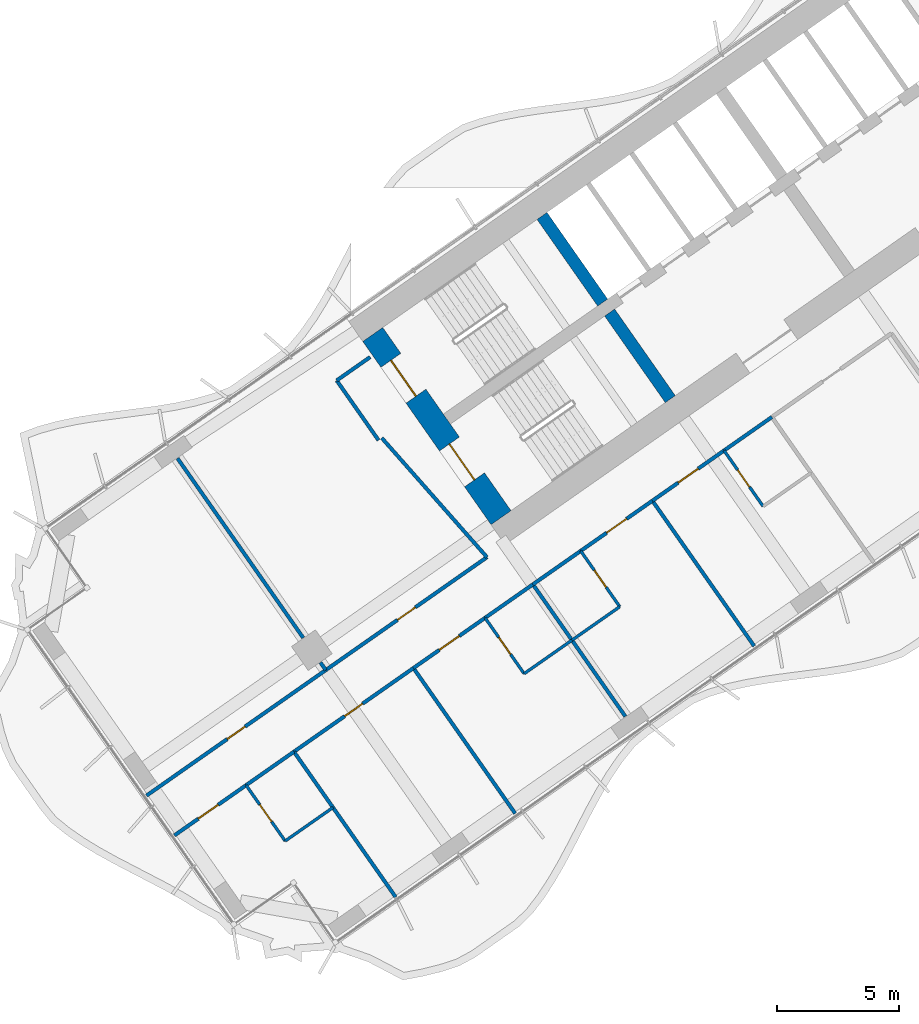
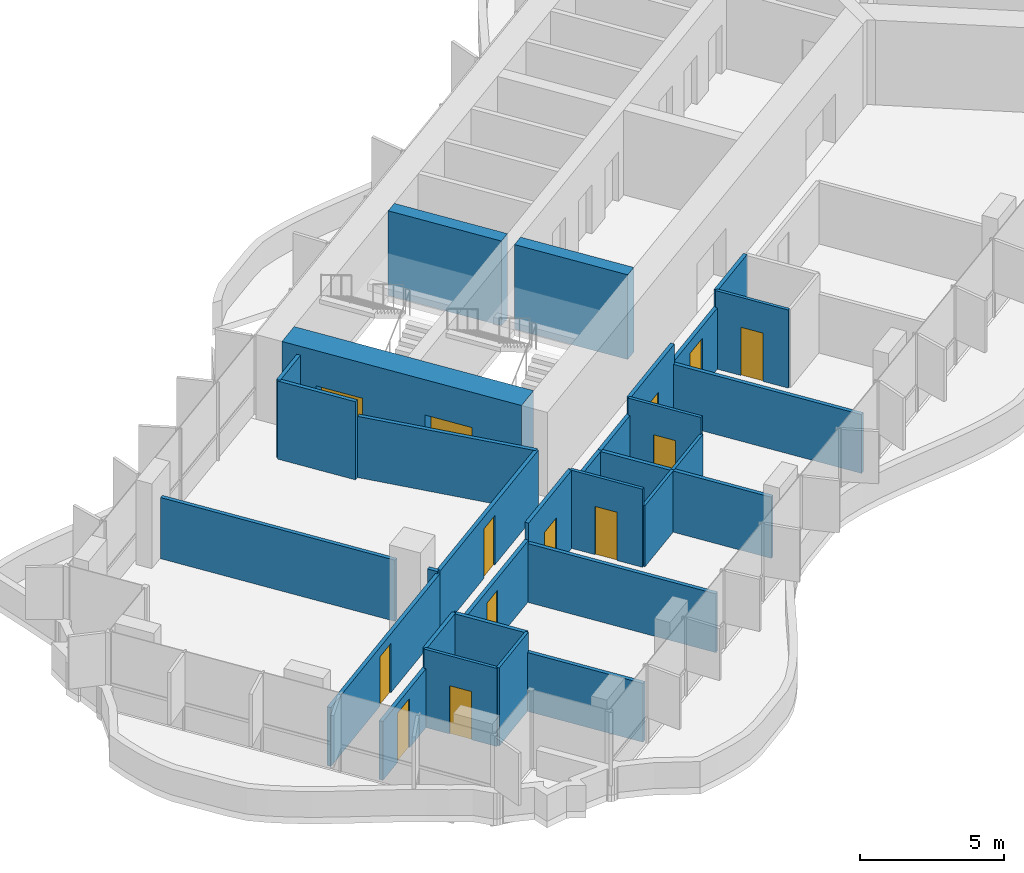
# One storey, part 12 of 23: 32 walls, 13 doors, 13 openings.
"""IFC4 building model written with IfcOpenShell, lengths in metres."""

import ifcopenshell
import ifcopenshell.guid

model = None  # the IFC model being written
_history = None  # IfcOwnerHistory: only IFC2X3 demands one
_inside = {}  # id of a spatial element -> (the spatial element, [elements in it])
_under = {}  # id of a project, library or spatial element -> (it, [spatial elements below it])
_declared = {}  # id of a project -> (the project, [libraries it declares])
_typed = {}  # id of a type object -> (the type object, [elements of that type])
_made_of = {}  # id of a material, layer set ... -> (it, [elements and type objects made of it])


def new_model(schema):
    """Start an empty IFC model of exactly this schema.

    Asked for "IFC4X3", IfcOpenShell would pick the latest addendum, in which some entities
    have other attributes; the version numbers below select the first issue.
    IFC2X3 requires an IfcOwnerHistory on every rooted entity: one is made here for all.
    """
    global model, _history
    if schema == "IFC4X3":
        model = ifcopenshell.file(schema_version=(4, 3, 0, 0))
    else:
        model = ifcopenshell.file(schema=schema)
    _inside.clear()
    _under.clear()
    _declared.clear()
    _typed.clear()
    _made_of.clear()
    _history = None
    if model.schema == "IFC2X3":
        org = make("IfcOrganization", Name="unknown")
        user = make(
            "IfcPersonAndOrganization",
            ThePerson=make("IfcPerson", FamilyName="unknown"),
            TheOrganization=org,
        )
        app = make(
            "IfcApplication",
            ApplicationDeveloper=org,
            Version="unknown",
            ApplicationFullName="unknown",
            ApplicationIdentifier="unknown",
        )
        _history = make(
            "IfcOwnerHistory",
            OwningUser=user,
            OwningApplication=app,
            ChangeAction="ADDED",
            CreationDate=0,
        )
    return model


def make(cls, **values):
    """One entity of the class cls with the attributes given. An attribute that is None is left unset."""
    return model.create_entity(
        cls, **{name: value for name, value in values.items() if value is not None}
    )


def rooted(cls, **values):
    """An entity with a GlobalId (a new one), such as an element, a storey or a relation."""
    return make(cls, GlobalId=ifcopenshell.guid.new(), OwnerHistory=_history, **values)


def si_unit(unit_type, name, prefix=None):
    """IfcSIUnit, for example si_unit("LENGTHUNIT", "METRE", prefix="MILLI")."""
    return make("IfcSIUnit", UnitType=unit_type, Prefix=prefix, Name=name)


def assignment(units):
    """IfcUnitAssignment: the units of a project."""
    return None if units is None else make("IfcUnitAssignment", Units=units)


def point(xyz):
    """IfcCartesianPoint."""
    return None if xyz is None else make("IfcCartesianPoint", Coordinates=xyz)


def direction(xyz):
    """IfcDirection."""
    return None if xyz is None else make("IfcDirection", DirectionRatios=xyz)


def frame(location, z_axis=None, x_axis=None):
    """IfcAxis2Placement3D, a coordinate frame: its origin and axes. An axis left out is left unset."""
    return make(
        "IfcAxis2Placement3D",
        Location=point(location),
        Axis=direction(z_axis),
        RefDirection=direction(x_axis),
    )


def frame_2d(location, x_axis=None):
    """IfcAxis2Placement2D, a coordinate frame in the plane: its origin and x axis."""
    return make(
        "IfcAxis2Placement2D", Location=point(location), RefDirection=direction(x_axis)
    )


def origin():
    """The frame at (0, 0, 0) with its axes left unset."""
    return frame((0.0, 0.0, 0.0))


def place(relative_to, where):
    """IfcLocalPlacement: puts the frame where relative to a parent placement (None: the world)."""
    return make(
        "IfcLocalPlacement", PlacementRelTo=relative_to, RelativePlacement=where
    )


def context(
    kind, dimensions, precision=None, world=None, true_north=None, identifier=None
):
    """IfcGeometricRepresentationContext, for example the 3D "Model" context."""
    return make(
        "IfcGeometricRepresentationContext",
        ContextIdentifier=identifier,
        ContextType=kind,
        CoordinateSpaceDimension=dimensions,
        Precision=precision,
        WorldCoordinateSystem=world,
        TrueNorth=true_north,
    )


def subcontext(parent, identifier, kind, view, scale=None):
    """IfcGeometricRepresentationSubContext, for example "Body" below "Model"."""
    return make(
        "IfcGeometricRepresentationSubContext",
        ContextIdentifier=identifier,
        ContextType=kind,
        ParentContext=parent,
        TargetScale=scale,
        TargetView=view,
    )


def project(units=None, contexts=None):
    """IfcProject with its units and contexts."""
    return rooted(
        "IfcProject",
        Name="project",
        RepresentationContexts=contexts,
        UnitsInContext=assignment(units),
    )


def spatial(cls, under=None, at=None, **own):
    """A site, building, storey or space (cls), placed at a placement, below another one or the project."""
    s = rooted(cls, ObjectPlacement=at, **own)
    if under is not None:
        _under.setdefault(under.id(), (under, []))[1].append(s)
    return s


def polyline(points):
    """IfcPolyline through the points."""
    return make("IfcPolyline", Points=[point(p) for p in points])


def profile(cls, at=None, kind="AREA", **sizes):
    """A parametric profile (cls). Its sizes go by their IFC names, for example OverallWidth=200.0."""
    return make(cls, ProfileType=kind, Position=at, **sizes)


def rectangle(**sizes):
    """IfcRectangleProfileDef."""
    return profile("IfcRectangleProfileDef", **sizes)


def outline(outer, holes=None, kind="AREA"):
    """IfcArbitraryClosedProfileDef: a profile drawn as a closed curve; with holes, ...WithVoids."""
    if holes is None:
        return make("IfcArbitraryClosedProfileDef", ProfileType=kind, OuterCurve=outer)
    return make(
        "IfcArbitraryProfileDefWithVoids",
        ProfileType=kind,
        OuterCurve=outer,
        InnerCurves=holes,
    )


def extrude(swept, where, along, depth):
    """IfcExtrudedAreaSolid: the profile swept, set in the frame where, extruded along a direction by depth."""
    return make(
        "IfcExtrudedAreaSolid",
        SweptArea=swept,
        Position=where,
        ExtrudedDirection=direction(along),
        Depth=depth,
    )


def shape(context_of_items, identifier, shape_type, items):
    """IfcShapeRepresentation: the items that make up one representation, for example the "Body"."""
    return make(
        "IfcShapeRepresentation",
        ContextOfItems=context_of_items,
        RepresentationIdentifier=identifier,
        RepresentationType=shape_type,
        Items=items,
    )


def material(Name=None, Category=None):
    """IfcMaterial."""
    return make("IfcMaterial", Name=Name, Category=Category)


def layer(
    of_material, thickness, ventilated=None, Name=None, Category=None, Priority=None
):
    """IfcMaterialLayer: one layer of a wall or slab, of a material (None: an air gap)."""
    return make(
        "IfcMaterialLayer",
        Material=of_material,
        LayerThickness=thickness,
        IsVentilated=ventilated,
        Name=Name,
        Category=Category,
        Priority=Priority,
    )


def layer_set(layers, Name=None):
    """IfcMaterialLayerSet."""
    return make("IfcMaterialLayerSet", MaterialLayers=layers, LayerSetName=Name)


def made_of(thing, what):
    """Note that an element or type object is made of a material, layer set ...; save() writes the relation."""
    if what is not None:
        _made_of.setdefault(what.id(), (what, []))[1].append(thing)
    return thing


def type_object(cls, material=None, **own):
    """A type object (cls), such as IfcWallType, which elements share."""
    return made_of(rooted(cls, **own), material)


def element(
    cls,
    number,
    at=None,
    inside=None,
    cuts=None,
    type_object=None,
    material=None,
    context=None,
    identifier="Body",
    shape_type=None,
    held_by="IfcProductDefinitionShape",
    body=None,
    shapes=None,
    **own,
):
    """One element of the class cls, such as IfcWall. Its Tag is "e" and its number.

    at: its placement. inside: the storey or other place that contains it. cuts: it is an
    opening in that element (IfcRelVoidsElement). A single representation is given by context,
    identifier, shape_type and body (its items); several are given by shapes. held_by: the class
    of the entity that holds the representations. save() writes the other relations.
    """
    e = rooted(cls, Tag="e%d" % number, ObjectPlacement=at, **own)
    if body is not None:
        shapes = [shape(context, identifier, shape_type, body)]
    if shapes is not None:
        e.Representation = make(held_by, Representations=shapes)
    if inside is not None:
        _inside.setdefault(inside.id(), (inside, []))[1].append(e)
    if cuts is not None:
        rooted(
            "IfcRelVoidsElement", RelatingBuildingElement=cuts, RelatedOpeningElement=e
        )
    if type_object is not None:
        _typed.setdefault(type_object.id(), (type_object, []))[1].append(e)
    return made_of(e, material)


def fill(opening, filler):
    """IfcRelFillsElement: the door or window that sits in an opening."""
    return rooted(
        "IfcRelFillsElement",
        RelatingOpeningElement=opening,
        RelatedBuildingElement=filler,
    )


def aggregate(whole, parts):
    """IfcRelAggregates: a whole, such as a stair, and the parts it consists of."""
    return rooted("IfcRelAggregates", RelatingObject=whole, RelatedObjects=parts)


def save(model, path):
    """Write the relations noted so far, then the file.

    IfcRelAggregates (storeys below a building ...), IfcRelContainedInSpatialStructure (elements
    in a storey), IfcRelDefinesByType, IfcRelAssociatesMaterial and IfcRelDeclares: one each for
    every whole, place, type object, material and project.
    """
    for whole, parts in _under.values():
        aggregate(whole, parts)
    for where, things in _inside.values():
        rooted(
            "IfcRelContainedInSpatialStructure",
            RelatedElements=things,
            RelatingStructure=where,
        )
    for kind, things in _typed.values():
        rooted("IfcRelDefinesByType", RelatedObjects=things, RelatingType=kind)
    for what, things in _made_of.values():
        rooted("IfcRelAssociatesMaterial", RelatedObjects=things, RelatingMaterial=what)
    for by, libraries in _declared.values():
        rooted("IfcRelDeclares", RelatingContext=by, RelatedDefinitions=libraries)
    model.write(path)


model = new_model("IFC4")

# Units and contexts
model_context = context("Model", 3, precision=1e-05, world=origin(), true_north=direction((0.0, 1.0)))
body_context = subcontext(model_context, "Body", "Model", "MODEL_VIEW")
ifc_project = project(units=[si_unit("LENGTHUNIT", "METRE"), si_unit("AREAUNIT", "SQUARE_METRE"), si_unit("VOLUMEUNIT", "CUBIC_METRE"), si_unit("PLANEANGLEUNIT", "RADIAN"), si_unit("MASSUNIT", "GRAM", prefix="KILO")], contexts=[model_context])

# Site, building, storey
site_placement = place(None, origin())
site = spatial("IfcSite", under=ifc_project, at=site_placement, CompositionType="ELEMENT")
building_placement = place(site_placement, origin())
building = spatial("IfcBuilding", under=site, at=building_placement, Name="Tel Ilan Convention Tower", CompositionType="ELEMENT")
storey_placement = place(building_placement, frame((0.0, 0.0, 112.10009765625)))
storey = spatial("IfcBuildingStorey", under=building, at=storey_placement, Name="L24", CompositionType="ELEMENT", Elevation=112.10009765625)

# Wall, openings, doors
ifc_material_1 = material(Name="Concrete C60/75", Category="concrete")
ifc_layer_1 = layer(ifc_material_1, 1.0)
ifc_layer_set_1 = layer_set([ifc_layer_1], Name="Core Shear Wall 1000 mm C60/75")
wall_type_1 = type_object("IfcWallType", Name="Core Shear Wall 1000 mm C60/75", PredefinedType="SHEAR", material=ifc_layer_set_1)
wall_1_placement = place(storey_placement, frame((-21.70751953125, -15.19970703125, 0.0), z_axis=(0.0, 0.0, 1.0), x_axis=(-0.573576324356, 0.819152122709, 0.0)))
wall_1 = element("IfcWall", 1, at=wall_1_placement, inside=storey, type_object=wall_type_1, Name="L24 core wall W-end", PredefinedType="SHEAR", context=body_context, shape_type="SweptSolid", body=[
    extrude(outline(polyline([(0.0, 0.5), (0.0, -0.5), (9.199951171875, -0.5), (9.199951171875, 0.5), (0.0, 0.5)])), origin(), (0.0, 0.0, 1.0), 3.599853515625),
])
opening_1_placement = place(wall_1_placement, frame((6.10009765625, 0.0, 0.0)))
opening_1 = element("IfcOpeningElement", 2, at=opening_1_placement, cuts=wall_1, Name="Opening SD2001", PredefinedType="OPENING", context=body_context, shape_type="SweptSolid", body=[
    extrude(rectangle(XDim=1.800048828125, YDim=2.10009765625, at=frame_2d((0.89990234375, 1.050048828125))), frame((0.0, 0.510009765625, 0.0), z_axis=(0.0, -1.0, 0.0), x_axis=(1.0, 0.0, 0.0)), (0.0, 0.0, 1.0), 1.02001953125),
])
opening_2_placement = place(wall_1_placement, frame((1.89990234375, 0.0, 0.0)))
opening_2 = element("IfcOpeningElement", 3, at=opening_2_placement, cuts=wall_1, Name="Opening SD2002", PredefinedType="OPENING", context=body_context, shape_type="SweptSolid", body=[
    extrude(rectangle(XDim=1.800048828125, YDim=2.10009765625, at=frame_2d((0.89990234375, 1.050048828125))), frame((0.0, 0.510009765625, 0.0), z_axis=(0.0, -1.0, 0.0), x_axis=(1.0, 0.0, 0.0)), (0.0, 0.0, 1.0), 1.02001953125),
])
ifc_material_2 = material(Name="Galvanised Steel Door Leaf", Category="steel")
door_type_1 = type_object("IfcDoorType", Name="Stair Fire Door 1800 x 2100 FD60S", OperationType="NOTDEFINED", PredefinedType="DOOR", material=ifc_material_2)
door_1_placement = place(opening_1_placement, origin())
door_1 = element("IfcDoor", 4, at=door_1_placement, inside=storey, type_object=door_type_1, Name="Stair S1 door", OperationType="DOUBLE_DOOR_SINGLE_SWING", OverallHeight=2.10009765625, OverallWidth=1.800048828125, PredefinedType="DOOR", context=body_context, shape_type="SweptSolid", body=[
    extrude(rectangle(XDim=1.800048828125, YDim=2.10009765625, at=frame_2d((0.89990234375, 1.050048828125))), frame((0.0, 0.02490234375, 0.0), z_axis=(0.0, -1.0, 0.0), x_axis=(1.0, 0.0, 0.0)), (0.0, 0.0, 1.0), 0.050048828125),
])
fill(opening_1, door_1)
door_2_placement = place(opening_2_placement, origin())
door_2 = element("IfcDoor", 5, at=door_2_placement, inside=storey, type_object=door_type_1, Name="Stair S2 door", OperationType="DOUBLE_DOOR_SINGLE_SWING", OverallHeight=2.10009765625, OverallWidth=1.800048828125, PredefinedType="DOOR", context=body_context, shape_type="SweptSolid", body=[
    extrude(rectangle(XDim=1.800048828125, YDim=2.10009765625, at=frame_2d((0.89990234375, 1.050048828125))), frame((0.0, 0.02490234375, 0.0), z_axis=(0.0, -1.0, 0.0), x_axis=(1.0, 0.0, 0.0)), (0.0, 0.0, 1.0), 0.050048828125),
])
fill(opening_2, door_2)

# Walls
ifc_material_3 = material(Name="Concrete C60/75", Category="concrete")
ifc_layer_2 = layer(ifc_material_3, 0.5)
ifc_layer_set_2 = layer_set([ifc_layer_2], Name="Core Shear Wall 500 mm C60/75")
wall_type_2 = type_object("IfcWallType", Name="Core Shear Wall 500 mm C60/75", PredefinedType="SHEAR", material=ifc_layer_set_2)
wall_2_placement = place(storey_placement, frame((-14.74462890625, -10.324462890625, 0.0), z_axis=(0.0, 0.0, 1.0), x_axis=(-0.57356780395, 0.819158088694, 0.0)))
element("IfcWall", 6, at=wall_2_placement, inside=storey, type_object=wall_type_2, Name="L24 core wall W-cross2-1", PredefinedType="SHEAR", context=body_context, shape_type="SweptSolid", body=[
    extrude(outline(polyline([(4.35009765625, 0.250244140625), (0.0, 0.25), (0.0, -0.25), (4.35009765625, -0.25), (4.35009765625, 0.250244140625)])), origin(), (0.0, 0.0, 1.0), 3.599853515625),
])
wall_3_placement = place(storey_placement, frame((-17.526611328125, -6.3515625, 0.0), z_axis=(0.0, 0.0, 1.0), x_axis=(-0.573530143085, 0.819184457233, 0.0)))
element("IfcWall", 7, at=wall_3_placement, inside=storey, type_object=wall_type_2, Name="L24 core wall W-cross2-2", PredefinedType="SHEAR", context=body_context, shape_type="SweptSolid", body=[
    extrude(outline(polyline([(4.35009765625, -0.249755859375), (4.35009765625, 0.250244140625), (0.0, 0.25), (0.0, -0.25), (4.35009765625, -0.249755859375)])), origin(), (0.0, 0.0, 1.0), 3.599853515625),
])

# Wall, opening, door
ifc_material_4 = material(Name="Plasterboard on Steel Studs", Category="steel")
ifc_layer_3 = layer(ifc_material_4, 0.14990234375)
ifc_layer_set_3 = layer_set([ifc_layer_3], Name="Fire-rated Partition 150 EI 60")
wall_type_3 = type_object("IfcWallType", Name="Fire-rated Partition 150 EI 60", PredefinedType="PARTITIONING", material=ifc_layer_set_3)
wall_4_placement = place(storey_placement, frame((-28.91748046875, -21.468994140625, 0.0), z_axis=(0.0, 0.0, 1.0), x_axis=(0.819152599934, 0.573575642807, 0.0)))
wall_4 = element("IfcWall", 8, at=wall_4_placement, inside=storey, type_object=wall_type_3, Name="Partition 021", PredefinedType="PARTITIONING", context=body_context, shape_type="SweptSolid", body=[
    extrude(rectangle(XDim=8.098388671875, YDim=0.14990234375, at=frame_2d((4.04931640625, 0.0))), origin(), (0.0, 0.0, 1.0), 2.599853515625),
])
opening_3_placement = place(wall_4_placement, frame((3.59912109375, 0.0, 0.0)))
opening_3 = element("IfcOpeningElement", 9, at=opening_3_placement, cuts=wall_4, Name="Opening L24-011", PredefinedType="OPENING", context=body_context, shape_type="SweptSolid", body=[
    extrude(rectangle(XDim=0.89990234375, YDim=2.10009765625, at=frame_2d((0.449951171875, 1.050048828125))), frame((0.0, 0.0849609375, 0.0), z_axis=(0.0, -1.0, 0.0), x_axis=(1.0, 0.0, 0.0)), (0.0, 0.0, 1.0), 0.169921875),
])
ifc_material_5 = material(Name="Timber Door Leaf in Steel Frame", Category="steel")
door_type_2 = type_object("IfcDoorType", Name="Room Fire Door 900x2100", OperationType="NOTDEFINED", PredefinedType="DOOR", material=ifc_material_5)
door_3_placement = place(opening_3_placement, origin())
door_3 = element("IfcDoor", 10, at=door_3_placement, inside=storey, type_object=door_type_2, Name="Door L24-011", OperationType="SINGLE_SWING_LEFT", OverallHeight=2.10009765625, OverallWidth=0.89990234375, PredefinedType="DOOR", context=body_context, shape_type="SweptSolid", body=[
    extrude(rectangle(XDim=0.89990234375, YDim=2.10009765625, at=frame_2d((0.449951171875, 1.050048828125))), frame((0.0, 0.02490234375, 0.0), z_axis=(0.0, -1.0, 0.0), x_axis=(1.0, 0.0, 0.0)), (0.0, 0.0, 1.0), 0.050048828125),
])
fill(opening_3, door_3)

wall_5_placement = place(storey_placement, frame((-36.288330078125, -26.630126953125, 0.0), z_axis=(0.0, 0.0, 1.0), x_axis=(0.81915291695, 0.57357519006, 0.0)))
wall_5 = element("IfcWall", 11, at=wall_5_placement, inside=storey, type_object=wall_type_3, Name="Partition 022", PredefinedType="PARTITIONING", context=body_context, shape_type="SweptSolid", body=[
    extrude(rectangle(XDim=9.001953125, YDim=0.14990234375, at=frame_2d((4.5009765625, 0.0))), origin(), (0.0, 0.0, 1.0), 2.5),
])
opening_4_placement = place(wall_5_placement, frame((4.051025390625, 0.0, 0.0)))
opening_4 = element("IfcOpeningElement", 12, at=opening_4_placement, cuts=wall_5, Name="Opening L24-012", PredefinedType="OPENING", context=body_context, shape_type="SweptSolid", body=[
    extrude(rectangle(XDim=0.89990234375, YDim=2.10009765625, at=frame_2d((0.449951171875, 1.050048828125))), frame((0.0, 0.0849609375, 0.0), z_axis=(0.0, -1.0, 0.0), x_axis=(1.0, 0.0, 0.0)), (0.0, 0.0, 1.0), 0.169921875),
])
door_4_placement = place(opening_4_placement, origin())
door_4 = element("IfcDoor", 13, at=door_4_placement, inside=storey, type_object=door_type_2, Name="Door L24-012", OperationType="SINGLE_SWING_LEFT", OverallHeight=2.10009765625, OverallWidth=0.89990234375, PredefinedType="DOOR", context=body_context, shape_type="SweptSolid", body=[
    extrude(rectangle(XDim=0.89990234375, YDim=2.10009765625, at=frame_2d((0.449951171875, 1.050048828125))), frame((0.0, 0.02490234375, 0.0), z_axis=(0.0, -1.0, 0.0), x_axis=(1.0, 0.0, 0.0)), (0.0, 0.0, 1.0), 0.050048828125),
])
fill(opening_4, door_4)

wall_6_placement = place(storey_placement, frame((-12.53173828125, -12.43701171875, 0.0), z_axis=(0.0, 0.0, 1.0), x_axis=(-0.819145961204, -0.573585123798, 0.0)))
wall_6 = element("IfcWall", 14, at=wall_6_placement, inside=storey, type_object=wall_type_3, Name="Partition 024", PredefinedType="PARTITIONING", context=body_context, shape_type="SweptSolid", body=[
    extrude(rectangle(XDim=3.60302734375, YDim=0.14990234375, at=frame_2d((1.801513671875, 0.0))), origin(), (0.0, 0.0, 1.0), 2.599853515625),
])
opening_5_placement = place(wall_6_placement, frame((1.301025390625, 0.0, 0.0)))
opening_5 = element("IfcOpeningElement", 15, at=opening_5_placement, cuts=wall_6, Name="Opening L24-003", PredefinedType="OPENING", context=body_context, shape_type="SweptSolid", body=[
    extrude(rectangle(XDim=1.0, YDim=2.10009765625, at=frame_2d((0.5, 1.050048828125))), frame((0.0, 0.0849609375, 0.0), z_axis=(0.0, -1.0, 0.0), x_axis=(1.0, 0.0, 0.0)), (0.0, 0.0, 1.0), 0.169921875),
])
ifc_material_6 = material(Name="Timber Door Leaf in Steel Frame", Category="steel")
door_type_3 = type_object("IfcDoorType", Name="Hotel Room Entrance Fire Door 1000x2100", OperationType="NOTDEFINED", PredefinedType="DOOR", material=ifc_material_6)
door_5_placement = place(opening_5_placement, origin())
door_5 = element("IfcDoor", 16, at=door_5_placement, inside=storey, type_object=door_type_3, Name="Door L24-003", OperationType="SINGLE_SWING_LEFT", OverallHeight=2.10009765625, OverallWidth=1.0, PredefinedType="DOOR", context=body_context, shape_type="SweptSolid", body=[
    extrude(rectangle(XDim=1.0, YDim=2.10009765625, at=frame_2d((0.5, 1.050048828125))), frame((0.0, 0.02490234375, 0.0), z_axis=(0.0, -1.0, 0.0), x_axis=(1.0, 0.0, 0.0)), (0.0, 0.0, 1.0), 0.050048828125),
])
fill(opening_5, door_5)

# Wall
wall_7_placement = place(storey_placement, frame((-10.56494140625, -11.06005859375, 0.0), z_axis=(0.0, 0.0, 1.0), x_axis=(-0.819193748, -0.57351687267, 0.0)))
element("IfcWall", 17, at=wall_7_placement, inside=storey, type_object=wall_type_3, Name="Partition 025", PredefinedType="PARTITIONING", context=body_context, shape_type="SweptSolid", body=[
    extrude(rectangle(XDim=2.40380859375, YDim=0.14990234375, at=frame_2d((1.201904296875, 0.0))), origin(), (0.0, 0.0, 1.0), 3.31982421875),
])

# Wall, opening, door
wall_8_placement = place(storey_placement, frame((-15.479736328125, -14.50146484375, 0.0), z_axis=(0.0, 0.0, 1.0), x_axis=(-0.819145961204, -0.573585123798, 0.0)))
wall_8 = element("IfcWall", 18, at=wall_8_placement, inside=storey, type_object=wall_type_3, Name="Partition 026", PredefinedType="PARTITIONING", context=body_context, shape_type="SweptSolid", body=[
    extrude(rectangle(XDim=3.60302734375, YDim=0.14990234375, at=frame_2d((1.801513671875, 0.0))), origin(), (0.0, 0.0, 1.0), 3.31982421875),
])
opening_6_placement = place(wall_8_placement, frame((1.302001953125, 0.0, 0.0)))
opening_6 = element("IfcOpeningElement", 19, at=opening_6_placement, cuts=wall_8, Name="Opening L24-005", PredefinedType="OPENING", context=body_context, shape_type="SweptSolid", body=[
    extrude(rectangle(XDim=1.0, YDim=2.10009765625, at=frame_2d((0.5, 1.050048828125))), frame((0.0, 0.0849609375, 0.0), z_axis=(0.0, -1.0, 0.0), x_axis=(1.0, 0.0, 0.0)), (0.0, 0.0, 1.0), 0.169921875),
])
door_6_placement = place(opening_6_placement, origin())
door_6 = element("IfcDoor", 20, at=door_6_placement, inside=storey, type_object=door_type_3, Name="Door L24-005", OperationType="SINGLE_SWING_LEFT", OverallHeight=2.10009765625, OverallWidth=1.0, PredefinedType="DOOR", context=body_context, shape_type="SweptSolid", body=[
    extrude(rectangle(XDim=1.0, YDim=2.10009765625, at=frame_2d((0.5, 1.050048828125))), frame((0.0, 0.02490234375, 0.0), z_axis=(0.0, -1.0, 0.0), x_axis=(1.0, 0.0, 0.0)), (0.0, 0.0, 1.0), 0.050048828125),
])
fill(opening_6, door_6)

# Wall
wall_9_placement = place(storey_placement, frame((-18.4287109375, -16.56640625, 0.0), z_axis=(0.0, 0.0, 1.0), x_axis=(-0.819146032251, -0.573585022335, 0.0)))
element("IfcWall", 21, at=wall_9_placement, inside=storey, type_object=wall_type_3, Name="Partition 027", PredefinedType="PARTITIONING", context=body_context, shape_type="SweptSolid", body=[
    extrude(rectangle(XDim=2.404052734375, YDim=0.14990234375, at=frame_2d((1.2021484375, 0.0))), origin(), (0.0, 0.0, 1.0), 2.599853515625),
])

# Wall, opening, door
wall_10_placement = place(storey_placement, frame((-22.361572265625, -19.320068359375, 0.0), z_axis=(0.0, 0.0, 1.0), x_axis=(-0.819145961204, -0.573585123798, 0.0)))
wall_10 = element("IfcWall", 22, at=wall_10_placement, inside=storey, type_object=wall_type_3, Name="Partition 028", PredefinedType="PARTITIONING", context=body_context, shape_type="SweptSolid", body=[
    extrude(rectangle(XDim=3.60302734375, YDim=0.14990234375, at=frame_2d((1.801513671875, 0.0))), origin(), (0.0, 0.0, 1.0), 3.31982421875),
])
opening_7_placement = place(wall_10_placement, frame((1.301025390625, 0.0, 0.0)))
opening_7 = element("IfcOpeningElement", 23, at=opening_7_placement, cuts=wall_10, Name="Opening L24-007", PredefinedType="OPENING", context=body_context, shape_type="SweptSolid", body=[
    extrude(rectangle(XDim=1.0, YDim=2.10009765625, at=frame_2d((0.5, 1.050048828125))), frame((0.0, 0.0849609375, 0.0), z_axis=(0.0, -1.0, 0.0), x_axis=(1.0, 0.0, 0.0)), (0.0, 0.0, 1.0), 0.169921875),
])
door_7_placement = place(opening_7_placement, origin())
door_7 = element("IfcDoor", 24, at=door_7_placement, inside=storey, type_object=door_type_3, Name="Door L24-007", OperationType="SINGLE_SWING_LEFT", OverallHeight=2.10009765625, OverallWidth=1.0, PredefinedType="DOOR", context=body_context, shape_type="SweptSolid", body=[
    extrude(rectangle(XDim=1.0, YDim=2.10009765625, at=frame_2d((0.5, 1.050048828125))), frame((0.0, 0.02490234375, 0.0), z_axis=(0.0, -1.0, 0.0), x_axis=(1.0, 0.0, 0.0)), (0.0, 0.0, 1.0), 0.050048828125),
])
fill(opening_7, door_7)

# Wall
wall_11_placement = place(storey_placement, frame((-20.394775390625, -17.94287109375, 0.0), z_axis=(0.0, 0.0, 1.0), x_axis=(-0.819146032251, -0.573585022335, 0.0)))
element("IfcWall", 25, at=wall_11_placement, inside=storey, type_object=wall_type_3, Name="Partition 029", PredefinedType="PARTITIONING", context=body_context, shape_type="SweptSolid", body=[
    extrude(rectangle(XDim=2.404052734375, YDim=0.14990234375, at=frame_2d((1.2021484375, 0.0))), origin(), (0.0, 0.0, 1.0), 2.599853515625),
])

# Wall, opening, door
wall_12_placement = place(storey_placement, frame((-25.3095703125, -21.38427734375, 0.0), z_axis=(0.0, 0.0, 1.0), x_axis=(-0.819145946981, -0.573585144111, 0.0)))
wall_12 = element("IfcWall", 26, at=wall_12_placement, inside=storey, type_object=wall_type_3, Name="Partition 030", PredefinedType="PARTITIONING", context=body_context, shape_type="SweptSolid", body=[
    extrude(rectangle(XDim=6.004150390625, YDim=0.14990234375, at=frame_2d((3.001953125, 0.0))), origin(), (0.0, 0.0, 1.0), 2.599853515625),
])
opening_8_placement = place(wall_12_placement, frame((2.552001953125, 0.0, 0.0)))
opening_8 = element("IfcOpeningElement", 27, at=opening_8_placement, cuts=wall_12, Name="Opening L24-008", PredefinedType="OPENING", context=body_context, shape_type="SweptSolid", body=[
    extrude(rectangle(XDim=0.89990234375, YDim=2.10009765625, at=frame_2d((0.449951171875, 1.050048828125))), frame((0.0, 0.0849609375, 0.0), z_axis=(0.0, -1.0, 0.0), x_axis=(1.0, 0.0, 0.0)), (0.0, 0.0, 1.0), 0.169921875),
])
door_8_placement = place(opening_8_placement, origin())
door_8 = element("IfcDoor", 28, at=door_8_placement, inside=storey, type_object=door_type_2, Name="Door L24-008", OperationType="SINGLE_SWING_RIGHT", OverallHeight=2.10009765625, OverallWidth=0.89990234375, PredefinedType="DOOR", context=body_context, shape_type="SweptSolid", body=[
    extrude(rectangle(XDim=0.89990234375, YDim=2.10009765625, at=frame_2d((0.449951171875, 1.050048828125))), frame((0.0, 0.02490234375, 0.0), z_axis=(0.0, -1.0, 0.0), x_axis=(1.0, 0.0, 0.0)), (0.0, 0.0, 1.0), 0.050048828125),
])
fill(opening_8, door_8)

wall_13_placement = place(storey_placement, frame((-32.19140625, -26.202880859375, 0.0), z_axis=(0.0, 0.0, 1.0), x_axis=(-0.819149096931, -0.573580645591, 0.0)))
wall_13 = element("IfcWall", 29, at=wall_13_placement, inside=storey, type_object=wall_type_3, Name="Partition 031", PredefinedType="PARTITIONING", context=body_context, shape_type="SweptSolid", body=[
    extrude(rectangle(XDim=3.600830078125, YDim=0.14990234375, at=frame_2d((1.80029296875, 0.0))), origin(), (0.0, 0.0, 1.0), 2.5),
])
opening_9_placement = place(wall_13_placement, frame((1.40087890625, 0.0, 0.0)))
opening_9 = element("IfcOpeningElement", 30, at=opening_9_placement, cuts=wall_13, Name="Opening L24-010", PredefinedType="OPENING", context=body_context, shape_type="SweptSolid", body=[
    extrude(rectangle(XDim=1.0, YDim=2.10009765625, at=frame_2d((0.5, 1.050048828125))), frame((0.0, 0.0849609375, 0.0), z_axis=(0.0, -1.0, 0.0), x_axis=(1.0, 0.0, 0.0)), (0.0, 0.0, 1.0), 0.169921875),
])
door_9_placement = place(opening_9_placement, origin())
door_9 = element("IfcDoor", 31, at=door_9_placement, inside=storey, type_object=door_type_3, Name="Door L24-010", OperationType="SINGLE_SWING_LEFT", OverallHeight=2.10009765625, OverallWidth=1.0, PredefinedType="DOOR", context=body_context, shape_type="SweptSolid", body=[
    extrude(rectangle(XDim=1.0, YDim=2.10009765625, at=frame_2d((0.5, 1.050048828125))), frame((0.0, 0.02490234375, 0.0), z_axis=(0.0, -1.0, 0.0), x_axis=(1.0, 0.0, 0.0)), (0.0, 0.0, 1.0), 0.050048828125),
])
fill(opening_9, door_9)

# Walls
wall_14_placement = place(storey_placement, frame((-30.224609375, -24.82568359375, 0.0), z_axis=(0.0, 0.0, 1.0), x_axis=(-0.819146032251, -0.573585022335, 0.0)))
element("IfcWall", 32, at=wall_14_placement, inside=storey, type_object=wall_type_3, Name="Partition 032", PredefinedType="PARTITIONING", context=body_context, shape_type="SweptSolid", body=[
    extrude(rectangle(XDim=2.404052734375, YDim=0.14990234375, at=frame_2d((1.2021484375, 0.0))), origin(), (0.0, 0.0, 1.0), 3.31982421875),
])
wall_15_placement = place(storey_placement, frame((-26.74609375, -12.013671875, 0.0), z_axis=(0.0, 0.0, 1.0), x_axis=(-0.573560650686, 0.819163097304, 0.0)))
element("IfcWall", 33, at=wall_15_placement, inside=storey, type_object=wall_type_3, Name="Partition 071", PredefinedType="PARTITIONING", context=body_context, shape_type="SweptSolid", body=[
    extrude(rectangle(XDim=3.0, YDim=0.14990234375, at=frame_2d((1.5, 0.0))), origin(), (0.0, 0.0, 1.0), 3.31982421875),
])
wall_16_placement = place(storey_placement, frame((-28.466796875, -9.55615234375, 0.0), z_axis=(0.0, 0.0, 1.0), x_axis=(0.819109000826, 0.573637903879, 0.0)))
element("IfcWall", 34, at=wall_16_placement, inside=storey, type_object=wall_type_3, Name="Partition 072", PredefinedType="PARTITIONING", context=body_context, shape_type="SweptSolid", body=[
    extrude(rectangle(XDim=1.679931640625, YDim=0.14990234375, at=frame_2d((0.83984375, 0.0))), origin(), (0.0, 0.0, 1.0), 3.31982421875),
])
wall_17_placement = place(storey_placement, frame((-22.2841796875, -16.82666015625, 0.0), z_axis=(0.0, 0.0, 1.0), x_axis=(-0.661545117561, 0.749905365651, 0.0)))
element("IfcWall", 35, at=wall_17_placement, inside=storey, type_object=wall_type_3, Name="Partition 073", PredefinedType="PARTITIONING", context=body_context, shape_type="SweptSolid", body=[
    extrude(rectangle(XDim=6.542724609375, YDim=0.14990234375, at=frame_2d((3.271484375, 0.0))), origin(), (0.0, 0.0, 1.0), 2.599853515625),
])
wall_18_placement = place(storey_placement, frame((-28.916015625, -21.468017578125, 0.0), z_axis=(0.0, 0.0, 1.0), x_axis=(-0.572944929411, 0.819593867633, 0.0)))
element("IfcWall", 36, at=wall_18_placement, inside=storey, type_object=wall_type_3, Name="Partition 074", PredefinedType="PARTITIONING", context=body_context, shape_type="SweptSolid", body=[
    extrude(rectangle(XDim=0.380126953125, YDim=0.14990234375, at=frame_2d((0.18994140625, 0.0))), origin(), (0.0, 0.0, 1.0), 2.599853515625),
])
wall_19_placement = place(storey_placement, frame((-29.84521484375, -20.140869140625, 0.0), z_axis=(0.0, 0.0, 1.0), x_axis=(-0.573558725113, 0.819164445546, 0.0)))
element("IfcWall", 37, at=wall_19_placement, inside=storey, type_object=wall_type_3, Name="Partition 075", PredefinedType="PARTITIONING", context=body_context, shape_type="SweptSolid", body=[
    extrude(rectangle(XDim=9.010009765625, YDim=0.14990234375, at=frame_2d((4.5048828125, 0.0))), origin(), (0.0, 0.0, 1.0), 2.599853515625),
])
wall_20_placement = place(storey_placement, frame((-11.29443359375, -20.482421875, 0.0), z_axis=(0.0, 0.0, 1.0), x_axis=(-0.573572324301, 0.819154923562, 0.0)))
element("IfcWall", 38, at=wall_20_placement, inside=storey, type_object=wall_type_3, Name="Partition 080", PredefinedType="PARTITIONING", context=body_context, shape_type="SweptSolid", body=[
    extrude(rectangle(XDim=7.2998046875, YDim=0.14990234375, at=frame_2d((3.64990234375, 0.0))), origin(), (0.0, 0.0, 1.0), 2.5),
])
wall_21_placement = place(storey_placement, frame((-16.593505859375, -23.375, 0.0), z_axis=(0.0, 0.0, 1.0), x_axis=(-0.573594994199, 0.819139049631, 0.0)))
element("IfcWall", 39, at=wall_21_placement, inside=storey, type_object=wall_type_3, Name="Partition 083", PredefinedType="PARTITIONING", context=body_context, shape_type="SweptSolid", body=[
    extrude(rectangle(XDim=3.8291015625, YDim=0.14990234375, at=frame_2d((1.91455078125, 0.0))), origin(), (0.0, 0.0, 1.0), 2.599853515625),
])
wall_22_placement = place(storey_placement, frame((-18.790283203125, -20.237548828125, 0.0), z_axis=(0.0, 0.0, 1.0), x_axis=(-0.57364959175, 0.819100815459, 0.0)))
element("IfcWall", 40, at=wall_22_placement, inside=storey, type_object=wall_type_3, Name="Partition 084", PredefinedType="PARTITIONING", context=body_context, shape_type="SweptSolid", body=[
    extrude(rectangle(XDim=2.800048828125, YDim=0.14990234375, at=frame_2d((1.39990234375, 0.0))), origin(), (0.0, 0.0, 1.0), 2.599853515625),
])
wall_23_placement = place(storey_placement, frame((-21.124267578125, -27.365234375, 0.0), z_axis=(0.0, 0.0, 1.0), x_axis=(-0.573572324301, 0.819154923562, 0.0)))
element("IfcWall", 41, at=wall_23_placement, inside=storey, type_object=wall_type_3, Name="Partition 087", PredefinedType="PARTITIONING", context=body_context, shape_type="SweptSolid", body=[
    extrude(rectangle(XDim=7.2998046875, YDim=0.14990234375, at=frame_2d((3.64990234375, 0.0))), origin(), (0.0, 0.0, 1.0), 2.5),
])
wall_24_placement = place(storey_placement, frame((-26.0390625, -30.806640625, 0.0), z_axis=(0.0, 0.0, 1.0), x_axis=(-0.573593387921, 0.81914017441, 0.0)))
element("IfcWall", 42, at=wall_24_placement, inside=storey, type_object=wall_type_3, Name="Partition 088", PredefinedType="PARTITIONING", context=body_context, shape_type="SweptSolid", body=[
    extrude(rectangle(XDim=4.5009765625, YDim=0.14990234375, at=frame_2d((2.25048828125, 0.0))), origin(), (0.0, 0.0, 1.0), 2.5),
])
wall_25_placement = place(storey_placement, frame((-28.618896484375, -27.122314453125, 0.0), z_axis=(0.0, 0.0, 1.0), x_axis=(-0.573614360281, 0.819125488359, 0.0)))
element("IfcWall", 43, at=wall_25_placement, inside=storey, type_object=wall_type_3, Name="Partition 089", PredefinedType="PARTITIONING", context=body_context, shape_type="SweptSolid", body=[
    extrude(rectangle(XDim=2.80224609375, YDim=0.14990234375, at=frame_2d((1.401123046875, 0.0))), origin(), (0.0, 0.0, 1.0), 3.31982421875),
])

# Wall, opening, door
ifc_material_7 = material(Name="Plasterboard on Steel Studs", Category="steel")
ifc_layer_4 = layer(ifc_material_7, 0.1201171875)
ifc_layer_set_4 = layer_set([ifc_layer_4], Name="Moisture-resistant Partition 120")
wall_type_4 = type_object("IfcWallType", Name="Moisture-resistant Partition 120", PredefinedType="PARTITIONING", material=ifc_layer_set_4)
wall_26_placement = place(storey_placement, frame((-12.533203125, -12.438232421875, 0.0), z_axis=(0.0, 0.0, 1.0), x_axis=(0.573550118428, -0.819170471667, 0.0)))
wall_26 = element("IfcWall", 44, at=wall_26_placement, inside=storey, type_object=wall_type_4, Name="Partition 078", PredefinedType="PARTITIONING", context=body_context, shape_type="SweptSolid", body=[
    extrude(rectangle(XDim=2.800048828125, YDim=0.1201171875, at=frame_2d((1.39990234375, 0.0))), origin(), (0.0, 0.0, 1.0), 3.31982421875),
])
opening_10_placement = place(wall_26_placement, frame((0.97509765625, 0.0, 0.0)))
opening_10 = element("IfcOpeningElement", 45, at=opening_10_placement, cuts=wall_26, Name="Opening L24-002", PredefinedType="OPENING", context=body_context, shape_type="SweptSolid", body=[
    extrude(rectangle(XDim=0.85009765625, YDim=2.050048828125, at=frame_2d((0.425048828125, 1.02490234375))), frame((0.0, 0.070068359375, 0.0), z_axis=(0.0, -1.0, 0.0), x_axis=(1.0, 0.0, 0.0)), (0.0, 0.0, 1.0), 0.14013671875),
])
ifc_material_8 = material(Name="Timber Door Leaf in Steel Frame", Category="steel")
door_type_4 = type_object("IfcDoorType", Name="Bathroom Timber Door 850x2050", OperationType="NOTDEFINED", PredefinedType="DOOR", material=ifc_material_8)
door_10_placement = place(opening_10_placement, origin())
door_10 = element("IfcDoor", 46, at=door_10_placement, inside=storey, type_object=door_type_4, Name="Door L24-002", OperationType="SINGLE_SWING_RIGHT", OverallHeight=2.050048828125, OverallWidth=0.85009765625, PredefinedType="DOOR", context=body_context, shape_type="SweptSolid", body=[
    extrude(rectangle(XDim=0.85009765625, YDim=2.050048828125, at=frame_2d((0.425048828125, 1.02490234375))), frame((0.0, 0.02490234375, 0.0), z_axis=(0.0, -1.0, 0.0), x_axis=(1.0, 0.0, 0.0)), (0.0, 0.0, 1.0), 0.050048828125),
])
fill(opening_10, door_10)

# Wall
wall_27_placement = place(storey_placement, frame((-18.789794921875, -20.238525390625, 0.0), z_axis=(0.0, 0.0, 1.0), x_axis=(0.819141114317, 0.573592045652, 0.0)))
element("IfcWall", 47, at=wall_27_placement, inside=storey, type_object=wall_type_4, Name="Partition 081", PredefinedType="PARTITIONING", context=body_context, shape_type="SweptSolid", body=[
    extrude(rectangle(XDim=2.400146484375, YDim=0.1201171875, at=frame_2d((1.2001953125, 0.0))), origin(), (0.0, 0.0, 1.0), 2.599853515625),
])

# Wall, opening, door
wall_28_placement = place(storey_placement, frame((-16.823486328125, -18.860595703125, 0.0), z_axis=(0.0, 0.0, 1.0), x_axis=(-0.573608623498, 0.819129505664, 0.0)))
wall_28 = element("IfcWall", 48, at=wall_28_placement, inside=storey, type_object=wall_type_4, Name="Partition 082", PredefinedType="PARTITIONING", context=body_context, shape_type="SweptSolid", body=[
    extrude(rectangle(XDim=2.800048828125, YDim=0.1201171875, at=frame_2d((1.39990234375, 0.0))), origin(), (0.0, 0.0, 1.0), 3.31982421875),
])
opening_11_placement = place(wall_28_placement, frame((0.97509765625, 0.0, 0.0)))
opening_11 = element("IfcOpeningElement", 49, at=opening_11_placement, cuts=wall_28, Name="Opening L24-004", PredefinedType="OPENING", context=body_context, shape_type="SweptSolid", body=[
    extrude(rectangle(XDim=0.85009765625, YDim=2.050048828125, at=frame_2d((0.425048828125, 1.02490234375))), frame((0.0, 0.070068359375, 0.0), z_axis=(0.0, -1.0, 0.0), x_axis=(1.0, 0.0, 0.0)), (0.0, 0.0, 1.0), 0.14013671875),
])
door_11_placement = place(opening_11_placement, origin())
door_11 = element("IfcDoor", 50, at=door_11_placement, inside=storey, type_object=door_type_4, Name="Door L24-004", OperationType="SINGLE_SWING_RIGHT", OverallHeight=2.050048828125, OverallWidth=0.85009765625, PredefinedType="DOOR", context=body_context, shape_type="SweptSolid", body=[
    extrude(rectangle(XDim=0.85009765625, YDim=2.050048828125, at=frame_2d((0.425048828125, 1.02490234375))), frame((0.0, 0.02490234375, 0.0), z_axis=(0.0, -1.0, 0.0), x_axis=(1.0, 0.0, 0.0)), (0.0, 0.0, 1.0), 0.050048828125),
])
fill(opening_11, door_11)

wall_29_placement = place(storey_placement, frame((-22.36328125, -19.3212890625, 0.0), z_axis=(0.0, 0.0, 1.0), x_axis=(0.57364959175, -0.819100815459, 0.0)))
wall_29 = element("IfcWall", 51, at=wall_29_placement, inside=storey, type_object=wall_type_4, Name="Partition 085", PredefinedType="PARTITIONING", context=body_context, shape_type="SweptSolid", body=[
    extrude(rectangle(XDim=2.800048828125, YDim=0.1201171875, at=frame_2d((1.39990234375, 0.0))), origin(), (0.0, 0.0, 1.0), 3.31982421875),
])
opening_12_placement = place(wall_29_placement, frame((0.97509765625, 0.0, 0.0)))
opening_12 = element("IfcOpeningElement", 52, at=opening_12_placement, cuts=wall_29, Name="Opening L24-006", PredefinedType="OPENING", context=body_context, shape_type="SweptSolid", body=[
    extrude(rectangle(XDim=0.85009765625, YDim=2.050048828125, at=frame_2d((0.425048828125, 1.02490234375))), frame((0.0, 0.070068359375, 0.0), z_axis=(0.0, -1.0, 0.0), x_axis=(1.0, 0.0, 0.0)), (0.0, 0.0, 1.0), 0.14013671875),
])
door_12_placement = place(opening_12_placement, origin())
door_12 = element("IfcDoor", 53, at=door_12_placement, inside=storey, type_object=door_type_4, Name="Door L24-006", OperationType="SINGLE_SWING_RIGHT", OverallHeight=2.050048828125, OverallWidth=0.85009765625, PredefinedType="DOOR", context=body_context, shape_type="SweptSolid", body=[
    extrude(rectangle(XDim=0.85009765625, YDim=2.050048828125, at=frame_2d((0.425048828125, 1.02490234375))), frame((0.0, 0.02490234375, 0.0), z_axis=(0.0, -1.0, 0.0), x_axis=(1.0, 0.0, 0.0)), (0.0, 0.0, 1.0), 0.050048828125),
])
fill(opening_12, door_12)

# Wall
wall_30_placement = place(storey_placement, frame((-20.755859375, -21.614990234375, 0.0), z_axis=(0.0, 0.0, 1.0), x_axis=(0.819188907105, 0.573523787192, 0.0)))
element("IfcWall", 54, at=wall_30_placement, inside=storey, type_object=wall_type_4, Name="Partition 086", PredefinedType="PARTITIONING", context=body_context, shape_type="SweptSolid", body=[
    extrude(rectangle(XDim=2.39990234375, YDim=0.1201171875, at=frame_2d((1.199951171875, 0.0))), origin(), (0.0, 0.0, 1.0), 2.599853515625),
])

# Wall, opening, door
wall_31_placement = place(storey_placement, frame((-32.193115234375, -26.2041015625, 0.0), z_axis=(0.0, 0.0, 1.0), x_axis=(0.573608623498, -0.819129505664, 0.0)))
wall_31 = element("IfcWall", 55, at=wall_31_placement, inside=storey, type_object=wall_type_4, Name="Partition 090", PredefinedType="PARTITIONING", context=body_context, shape_type="SweptSolid", body=[
    extrude(rectangle(XDim=2.800048828125, YDim=0.1201171875, at=frame_2d((1.39990234375, 0.0))), origin(), (0.0, 0.0, 1.0), 3.31982421875),
])
opening_13_placement = place(wall_31_placement, frame((0.97509765625, 0.0, 0.0)))
opening_13 = element("IfcOpeningElement", 56, at=opening_13_placement, cuts=wall_31, Name="Opening L24-009", PredefinedType="OPENING", context=body_context, shape_type="SweptSolid", body=[
    extrude(rectangle(XDim=0.85009765625, YDim=2.050048828125, at=frame_2d((0.425048828125, 1.02490234375))), frame((0.0, 0.070068359375, 0.0), z_axis=(0.0, -1.0, 0.0), x_axis=(1.0, 0.0, 0.0)), (0.0, 0.0, 1.0), 0.14013671875),
])
door_13_placement = place(opening_13_placement, origin())
door_13 = element("IfcDoor", 57, at=door_13_placement, inside=storey, type_object=door_type_4, Name="Door L24-009", OperationType="SINGLE_SWING_LEFT", OverallHeight=2.050048828125, OverallWidth=0.85009765625, PredefinedType="DOOR", context=body_context, shape_type="SweptSolid", body=[
    extrude(rectangle(XDim=0.85009765625, YDim=2.050048828125, at=frame_2d((0.425048828125, 1.02490234375))), frame((0.0, 0.02490234375, 0.0), z_axis=(0.0, -1.0, 0.0), x_axis=(1.0, 0.0, 0.0)), (0.0, 0.0, 1.0), 0.050048828125),
])
fill(opening_13, door_13)

# Wall
wall_32_placement = place(storey_placement, frame((-30.585693359375, -28.498046875, 0.0), z_axis=(0.0, 0.0, 1.0), x_axis=(0.819141114317, 0.573592045652, 0.0)))
element("IfcWall", 58, at=wall_32_placement, inside=storey, type_object=wall_type_4, Name="Partition 091", PredefinedType="PARTITIONING", context=body_context, shape_type="SweptSolid", body=[
    extrude(rectangle(XDim=2.400146484375, YDim=0.1201171875, at=frame_2d((1.2001953125, 0.0))), origin(), (0.0, 0.0, 1.0), 3.31982421875),
])

save(model, "model.ifc")
